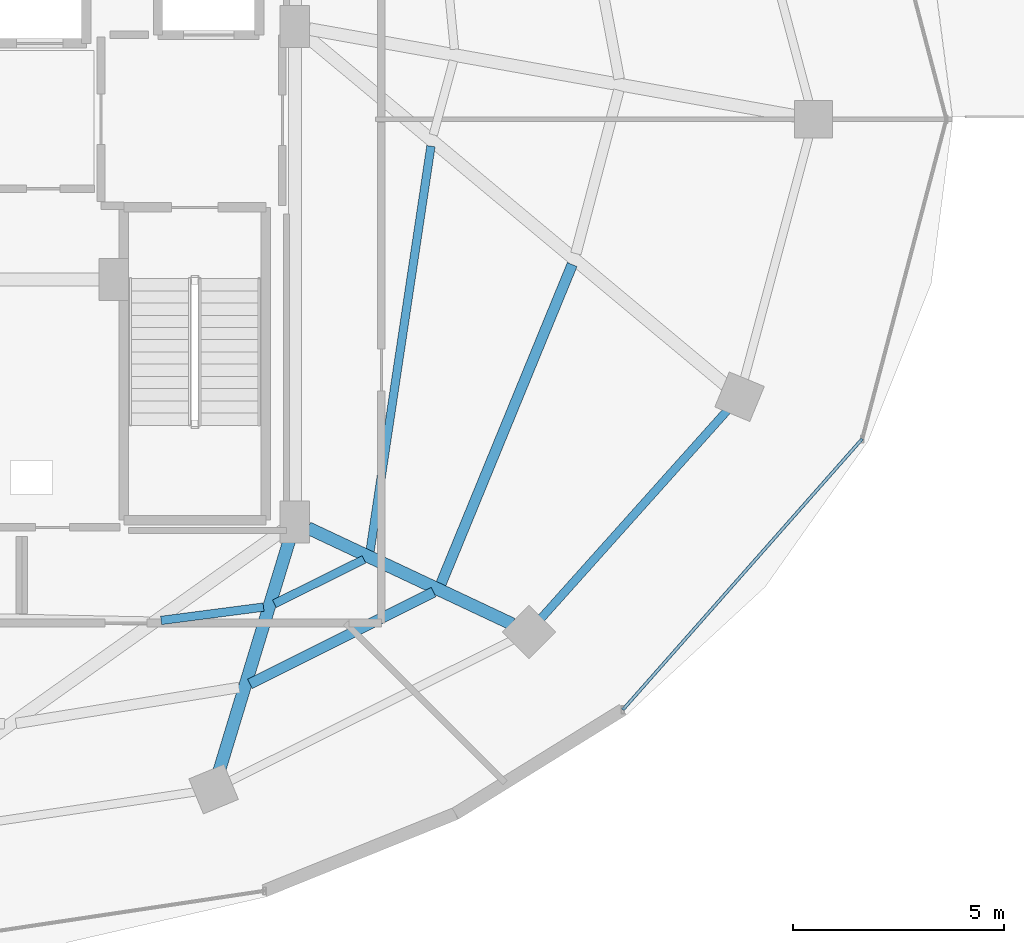
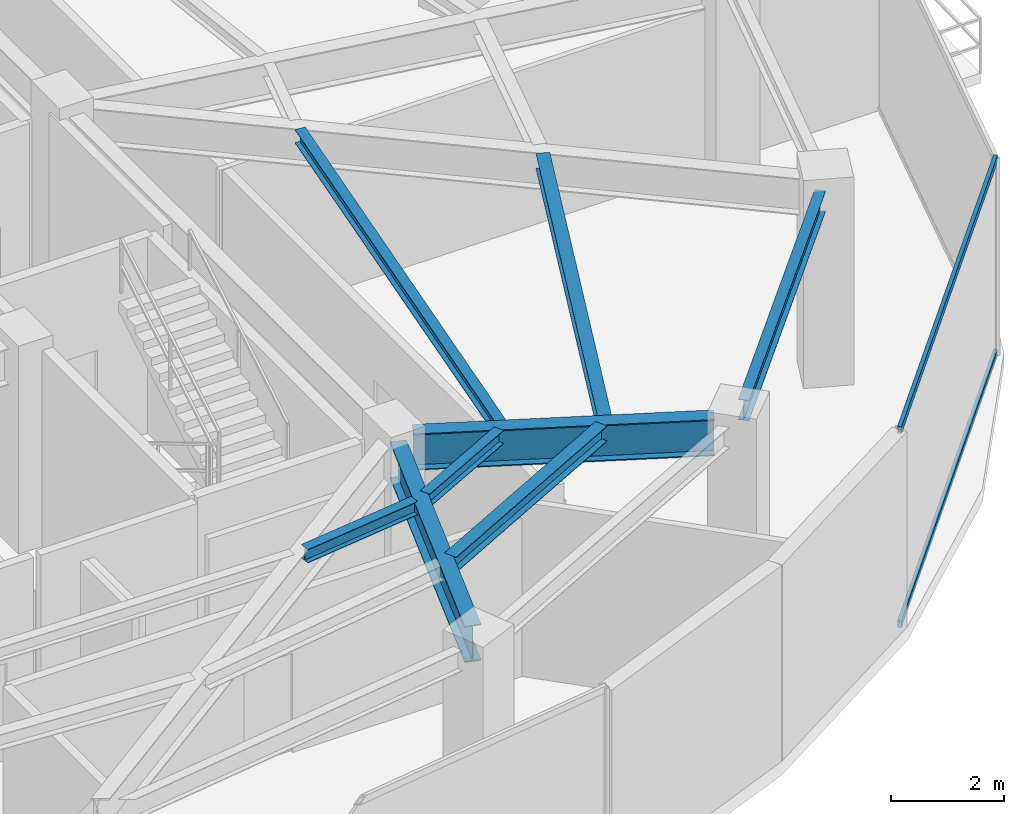
# One storey, part 12 of 27: 8 beams, 2 members, 1 element without a shape of its own.
"""IFC4 building model written with IfcOpenShell, lengths in metres."""

from ifc_helpers import new_model, si_unit, direction, frame, origin, origin_2d, place, context, subcontext, project, spatial, hollow_rectangle, i_section, extrude, material, material_profile, profile_set, type_object, element, aggregate, save


model = new_model("IFC4")

# Units and contexts
model_context = context("Model", 3, precision=1e-05, world=origin(), true_north=direction((0.0, 1.0)))
body_context = subcontext(model_context, "Body", "Model", "MODEL_VIEW")
ifc_project = project(units=[si_unit("LENGTHUNIT", "METRE"), si_unit("AREAUNIT", "SQUARE_METRE"), si_unit("VOLUMEUNIT", "CUBIC_METRE"), si_unit("PLANEANGLEUNIT", "RADIAN"), si_unit("MASSUNIT", "GRAM", prefix="KILO")], contexts=[model_context])

# Site, building, storey
site_placement = place(None, origin())
site = spatial("IfcSite", under=ifc_project, at=site_placement, CompositionType="ELEMENT")
building_placement = place(site_placement, origin())
building = spatial("IfcBuilding", under=site, at=building_placement, Name="Vorneva Point Tower", CompositionType="ELEMENT")
storey_placement = place(building_placement, frame((0.0, 0.0, 229.75)))
storey = spatial("IfcBuildingStorey", under=building, at=storey_placement, Name="L62", CompositionType="ELEMENT", Elevation=229.75)

# Beams
ifc_material_1 = material(Name="Steel S355", Category="steel")
ifc_material_profile_1 = material_profile(ifc_material_1, i_section(OverallWidth=0.300048828125, OverallDepth=0.7880859375, WebThickness=0.014404296875, FlangeThickness=0.02197265625, at=origin_2d()), Name="80Sh1")
ifc_profile_set_1 = profile_set([ifc_material_profile_1], Name="Steel S355")
beam_type_1 = type_object("IfcBeamType", Name="BM-GRD-80Sh1", PredefinedType="USERDEFINED", material=ifc_profile_set_1)
beam_1_placement = place(storey_placement, frame((46.948486328125, 10.5283203125, 3.845947265625), z_axis=(0.291025429135, 0.956715317948, 0.0), x_axis=(-0.956715317948, 0.291025429135, 0.0)))
element("IfcBeam", 1, at=beam_1_placement, inside=storey, type_object=beam_type_1, Name="L62 Radial Primary Girder 14", ObjectType="GIRDER", PredefinedType="USERDEFINED", context=body_context, shape_type="SweptSolid", body=[
    extrude(i_section(OverallWidth=0.300048828125, OverallDepth=0.7880859375, WebThickness=0.014404296875, FlangeThickness=0.02197265625, at=origin_2d()), origin(), (0.0, 0.0, 1.0), 5.849609375),
])
beam_2_placement = place(storey_placement, frame((53.902587890625, 14.0244140625, 3.845947265625), z_axis=(-0.904762899762, 0.42591559635, 0.0), x_axis=(-0.42591559635, -0.904762899762, 0.0)))
element("IfcBeam", 2, at=beam_2_placement, inside=storey, type_object=beam_type_1, Name="L62 Radial Primary Girder 15", ObjectType="GIRDER", PredefinedType="USERDEFINED", context=body_context, shape_type="SweptSolid", body=[
    extrude(i_section(OverallWidth=0.300048828125, OverallDepth=0.7880859375, WebThickness=0.014404296875, FlangeThickness=0.02197265625, at=origin_2d()), origin(), (0.0, 0.0, 1.0), 5.35498046875),
])
ifc_material_profile_2 = material_profile(ifc_material_1, i_section(OverallWidth=0.199951171875, OverallDepth=0.291015625, WebThickness=0.008056640625, FlangeThickness=0.010986328125, at=origin_2d()), Name="30Sh1")
ifc_profile_set_2 = profile_set([ifc_material_profile_2], Name="Steel S355")
beam_type_2 = type_object("IfcBeamType", Name="BM-SEC-30Sh1", PredefinedType="BEAM", material=ifc_profile_set_2)
beam_3_placement = place(storey_placement, frame((45.574951171875, 14.111083984375, 4.094482421875), z_axis=(0.991593183209, 0.129394586489, 0.0), x_axis=(-0.129394586489, 0.991593183209, 0.0)))
element("IfcBeam", 3, at=beam_3_placement, inside=storey, type_object=beam_type_2, Name="L62 Secondary Floor Beam 2.13", PredefinedType="BEAM", context=body_context, shape_type="SweptSolid", body=[
    extrude(i_section(OverallWidth=0.199951171875, OverallDepth=0.291015625, WebThickness=0.008056640625, FlangeThickness=0.010986328125, at=origin_2d()), origin(), (0.0, 0.0, 1.0), 2.448974609375),
])
beam_4_placement = place(storey_placement, frame((48.263916015625, 14.507080078125, 4.094482421875), z_axis=(0.895946483514, 0.4441620185, 0.0), x_axis=(-0.4441620185, 0.895946483514, 0.0)))
element("IfcBeam", 4, at=beam_4_placement, inside=storey, type_object=beam_type_2, Name="L62 Secondary Floor Beam 2.14", PredefinedType="BEAM", context=body_context, shape_type="SweptSolid", body=[
    extrude(i_section(OverallWidth=0.199951171875, OverallDepth=0.291015625, WebThickness=0.008056640625, FlangeThickness=0.010986328125, at=origin_2d()), origin(), (0.0, 0.0, 1.0), 2.3701171875),
])
beam_5_placement = place(storey_placement, frame((50.531494140625, 15.75732421875, 4.094482421875), z_axis=(0.14865392948, 0.988889280582, 0.0), x_axis=(-0.988889280582, 0.14865392948, 0.0)))
element("IfcBeam", 5, at=beam_5_placement, inside=storey, type_object=beam_type_2, Name="L62 Secondary Floor Beam 2.15", PredefinedType="BEAM", context=body_context, shape_type="SweptSolid", body=[
    extrude(i_section(OverallWidth=0.199951171875, OverallDepth=0.291015625, WebThickness=0.008056640625, FlangeThickness=0.010986328125, at=origin_2d()), origin(), (0.0, 0.0, 1.0), 9.711181640625),
])
ifc_material_profile_3 = material_profile(ifc_material_1, i_section(OverallWidth=0.2490234375, OverallDepth=0.333984375, WebThickness=0.008056640625, FlangeThickness=0.010986328125, at=origin_2d()), Name="35Sh1")
ifc_profile_set_3 = profile_set([ifc_material_profile_3], Name="Steel S355")
beam_type_3 = type_object("IfcBeamType", Name="BM-SEC-35Sh1", PredefinedType="BEAM", material=ifc_profile_set_3)
beam_6_placement = place(storey_placement, frame((47.684814453125, 12.604736328125, 4.072998046875), z_axis=(0.89410580889, 0.44785578316, 0.0), x_axis=(-0.44785578316, 0.89410580889, 0.0)))
element("IfcBeam", 6, at=beam_6_placement, inside=storey, type_object=beam_type_3, Name="L62 Secondary Floor Beam 1.14", PredefinedType="BEAM", context=body_context, shape_type="SweptSolid", body=[
    extrude(i_section(OverallWidth=0.2490234375, OverallDepth=0.333984375, WebThickness=0.008056640625, FlangeThickness=0.010986328125, at=origin_2d()), origin(), (0.0, 0.0, 1.0), 4.865234375),
])
beam_7_placement = place(storey_placement, frame((52.210693359375, 14.97314453125, 4.072998046875), z_axis=(0.380070895396, 0.924957358192, 0.0), x_axis=(-0.924957358192, 0.380070895396, 0.0)))
element("IfcBeam", 7, at=beam_7_placement, inside=storey, type_object=beam_type_3, Name="L62 Secondary Floor Beam 1.15", PredefinedType="BEAM", context=body_context, shape_type="SweptSolid", body=[
    extrude(i_section(OverallWidth=0.2490234375, OverallDepth=0.333984375, WebThickness=0.008056640625, FlangeThickness=0.010986328125, at=origin_2d()), origin(), (0.0, 0.0, 1.0), 8.194580078125),
])
ifc_material_profile_4 = material_profile(ifc_material_1, i_section(OverallWidth=0.198974609375, OverallDepth=0.446044921875, WebThickness=0.008056640625, FlangeThickness=0.011962890625, at=origin_2d()), Name="45B1")
ifc_profile_set_4 = profile_set([ifc_material_profile_4], Name="Steel S355")
beam_type_4 = type_object("IfcBeamType", Name="BM-SPN-45B1", PredefinedType="SPANDREL", material=ifc_profile_set_4)
beam_8_placement = place(storey_placement, frame((54.589111328125, 14.161865234375, 4.01708984375), z_axis=(0.66706970547, 0.744995307397, 0.0), x_axis=(-0.744995307397, 0.66706970547, 0.0)))
element("IfcBeam", 8, at=beam_8_placement, inside=storey, type_object=beam_type_4, Name="L62 Perimeter Spandrel Ring Beam 15", PredefinedType="SPANDREL", context=body_context, shape_type="SweptSolid", body=[
    extrude(i_section(OverallWidth=0.198974609375, OverallDepth=0.446044921875, WebThickness=0.008056640625, FlangeThickness=0.011962890625, at=origin_2d()), origin(), (0.0, 0.0, 1.0), 6.6201171875),
])

# Curtain wall, members
ifc_material_2 = material(Name="Pale anodised aluminium", Category="aluminium")
curtain_wall_type = type_object("IfcCurtainWallType", Name="CW-SKY-SYS", PredefinedType="NOTDEFINED", material=ifc_material_2)
curtain_wall_placement = place(storey_placement, origin())
curtain_wall = element("IfcCurtainWall", 9, at=curtain_wall_placement, inside=storey, type_object=curtain_wall_type, Name="L62 Unitised Curtain Wall CW-L62-R01", PredefinedType="NOTDEFINED")
ifc_material_profile_5 = material_profile(ifc_material_2, hollow_rectangle(XDim=0.074951171875, YDim=0.14990234375, WallThickness=0.00390625, at=origin_2d()), Name="AL-TRN 150x75x4")
ifc_profile_set_5 = profile_set([ifc_material_profile_5], Name="Pale anodised aluminium")
member_type = type_object("IfcMemberType", Name="CW-TRN-150", PredefinedType="USERDEFINED", material=ifc_profile_set_5)
member_1_placement = place(storey_placement, frame((56.526123046875, 11.9921875, 0.02001953125), z_axis=(0.662196681357, 0.74933007093, 0.0), x_axis=(-0.74933007093, 0.662196681357, 0.0)))
member_1 = element("IfcMember", 10, at=member_1_placement, type_object=member_type, Name="CW-L62-R01 Transom 01.1", ObjectType="TRANSOM", PredefinedType="USERDEFINED", context=body_context, shape_type="SweptSolid", body=[
    extrude(hollow_rectangle(XDim=0.074951171875, YDim=0.14990234375, WallThickness=0.00390625, at=origin_2d()), origin(), (0.0, 0.0, 1.0), 8.57666015625),
])
member_2_placement = place(storey_placement, frame((56.526123046875, 11.9921875, 4.219970703125), z_axis=(0.662196681357, 0.74933007093, 0.0), x_axis=(-0.74933007093, 0.662196681357, 0.0)))
member_2 = element("IfcMember", 11, at=member_2_placement, type_object=member_type, Name="CW-L62-R01 Transom 01.2", ObjectType="TRANSOM", PredefinedType="USERDEFINED", context=body_context, shape_type="SweptSolid", body=[
    extrude(hollow_rectangle(XDim=0.074951171875, YDim=0.14990234375, WallThickness=0.00390625, at=origin_2d()), origin(), (0.0, 0.0, 1.0), 8.57666015625),
])
aggregate(curtain_wall, [member_1, member_2])

save(model, "model.ifc")
